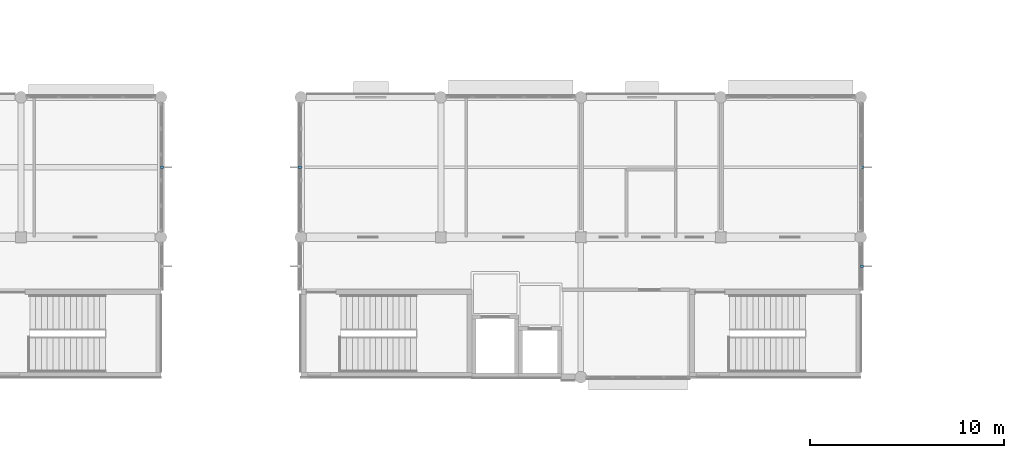
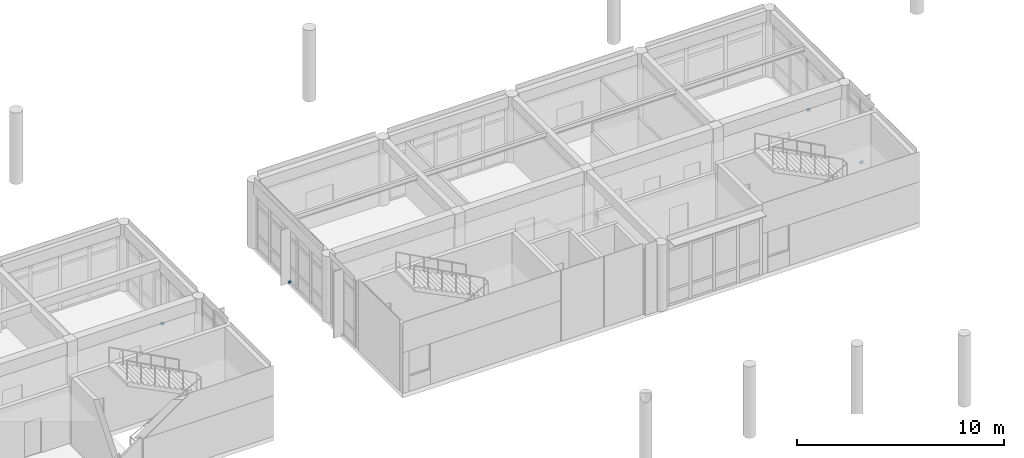
# One storey, part 19 of 29: 4 discrete accessories.
"""IFC4 building model written with IfcOpenShell, lengths in metres."""

import ifcopenshell
import ifcopenshell.guid

model = None  # the IFC model being written
_history = None  # IfcOwnerHistory: only IFC2X3 demands one
_inside = {}  # id of a spatial element -> (the spatial element, [elements in it])
_under = {}  # id of a project, library or spatial element -> (it, [spatial elements below it])
_declared = {}  # id of a project -> (the project, [libraries it declares])
_typed = {}  # id of a type object -> (the type object, [elements of that type])
_made_of = {}  # id of a material, layer set ... -> (it, [elements and type objects made of it])


def new_model(schema):
    """Start an empty IFC model of exactly this schema.

    Asked for "IFC4X3", IfcOpenShell would pick the latest addendum, in which some entities
    have other attributes; the version numbers below select the first issue.
    IFC2X3 requires an IfcOwnerHistory on every rooted entity: one is made here for all.
    """
    global model, _history
    if schema == "IFC4X3":
        model = ifcopenshell.file(schema_version=(4, 3, 0, 0))
    else:
        model = ifcopenshell.file(schema=schema)
    _inside.clear()
    _under.clear()
    _declared.clear()
    _typed.clear()
    _made_of.clear()
    _history = None
    if model.schema == "IFC2X3":
        org = make("IfcOrganization", Name="unknown")
        user = make(
            "IfcPersonAndOrganization",
            ThePerson=make("IfcPerson", FamilyName="unknown"),
            TheOrganization=org,
        )
        app = make(
            "IfcApplication",
            ApplicationDeveloper=org,
            Version="unknown",
            ApplicationFullName="unknown",
            ApplicationIdentifier="unknown",
        )
        _history = make(
            "IfcOwnerHistory",
            OwningUser=user,
            OwningApplication=app,
            ChangeAction="ADDED",
            CreationDate=0,
        )
    return model


def make(cls, **values):
    """One entity of the class cls with the attributes given. An attribute that is None is left unset."""
    return model.create_entity(
        cls, **{name: value for name, value in values.items() if value is not None}
    )


def rooted(cls, **values):
    """An entity with a GlobalId (a new one), such as an element, a storey or a relation."""
    return make(cls, GlobalId=ifcopenshell.guid.new(), OwnerHistory=_history, **values)


def si_unit(unit_type, name, prefix=None):
    """IfcSIUnit, for example si_unit("LENGTHUNIT", "METRE", prefix="MILLI")."""
    return make("IfcSIUnit", UnitType=unit_type, Prefix=prefix, Name=name)


def assignment(units):
    """IfcUnitAssignment: the units of a project."""
    return None if units is None else make("IfcUnitAssignment", Units=units)


def point(xyz):
    """IfcCartesianPoint."""
    return None if xyz is None else make("IfcCartesianPoint", Coordinates=xyz)


def direction(xyz):
    """IfcDirection."""
    return None if xyz is None else make("IfcDirection", DirectionRatios=xyz)


def frame(location, z_axis=None, x_axis=None):
    """IfcAxis2Placement3D, a coordinate frame: its origin and axes. An axis left out is left unset."""
    return make(
        "IfcAxis2Placement3D",
        Location=point(location),
        Axis=direction(z_axis),
        RefDirection=direction(x_axis),
    )


def frame_2d(location, x_axis=None):
    """IfcAxis2Placement2D, a coordinate frame in the plane: its origin and x axis."""
    return make(
        "IfcAxis2Placement2D", Location=point(location), RefDirection=direction(x_axis)
    )


def origin():
    """The frame at (0, 0, 0) with its axes left unset."""
    return frame((0.0, 0.0, 0.0))


def origin_2d():
    """The frame at (0, 0) in the plane with its x axis left unset."""
    return frame_2d((0.0, 0.0))


def place(relative_to, where):
    """IfcLocalPlacement: puts the frame where relative to a parent placement (None: the world)."""
    return make(
        "IfcLocalPlacement", PlacementRelTo=relative_to, RelativePlacement=where
    )


def context(
    kind, dimensions, precision=None, world=None, true_north=None, identifier=None
):
    """IfcGeometricRepresentationContext, for example the 3D "Model" context."""
    return make(
        "IfcGeometricRepresentationContext",
        ContextIdentifier=identifier,
        ContextType=kind,
        CoordinateSpaceDimension=dimensions,
        Precision=precision,
        WorldCoordinateSystem=world,
        TrueNorth=true_north,
    )


def subcontext(parent, identifier, kind, view, scale=None):
    """IfcGeometricRepresentationSubContext, for example "Body" below "Model"."""
    return make(
        "IfcGeometricRepresentationSubContext",
        ContextIdentifier=identifier,
        ContextType=kind,
        ParentContext=parent,
        TargetScale=scale,
        TargetView=view,
    )


def project(units=None, contexts=None):
    """IfcProject with its units and contexts."""
    return rooted(
        "IfcProject",
        Name="project",
        RepresentationContexts=contexts,
        UnitsInContext=assignment(units),
    )


def spatial(cls, under=None, at=None, **own):
    """A site, building, storey or space (cls), placed at a placement, below another one or the project."""
    s = rooted(cls, ObjectPlacement=at, **own)
    if under is not None:
        _under.setdefault(under.id(), (under, []))[1].append(s)
    return s


def profile(cls, at=None, kind="AREA", **sizes):
    """A parametric profile (cls). Its sizes go by their IFC names, for example OverallWidth=200.0."""
    return make(cls, ProfileType=kind, Position=at, **sizes)


def rectangle(**sizes):
    """IfcRectangleProfileDef."""
    return profile("IfcRectangleProfileDef", **sizes)


def extrude(swept, where, along, depth):
    """IfcExtrudedAreaSolid: the profile swept, set in the frame where, extruded along a direction by depth."""
    return make(
        "IfcExtrudedAreaSolid",
        SweptArea=swept,
        Position=where,
        ExtrudedDirection=direction(along),
        Depth=depth,
    )


def shape(context_of_items, identifier, shape_type, items):
    """IfcShapeRepresentation: the items that make up one representation, for example the "Body"."""
    return make(
        "IfcShapeRepresentation",
        ContextOfItems=context_of_items,
        RepresentationIdentifier=identifier,
        RepresentationType=shape_type,
        Items=items,
    )


def material(Name=None, Category=None):
    """IfcMaterial."""
    return make("IfcMaterial", Name=Name, Category=Category)


def made_of(thing, what):
    """Note that an element or type object is made of a material, layer set ...; save() writes the relation."""
    if what is not None:
        _made_of.setdefault(what.id(), (what, []))[1].append(thing)
    return thing


def type_object(cls, material=None, **own):
    """A type object (cls), such as IfcWallType, which elements share."""
    return made_of(rooted(cls, **own), material)


def element(
    cls,
    number,
    at=None,
    inside=None,
    cuts=None,
    type_object=None,
    material=None,
    context=None,
    identifier="Body",
    shape_type=None,
    held_by="IfcProductDefinitionShape",
    body=None,
    shapes=None,
    **own,
):
    """One element of the class cls, such as IfcWall. Its Tag is "e" and its number.

    at: its placement. inside: the storey or other place that contains it. cuts: it is an
    opening in that element (IfcRelVoidsElement). A single representation is given by context,
    identifier, shape_type and body (its items); several are given by shapes. held_by: the class
    of the entity that holds the representations. save() writes the other relations.
    """
    e = rooted(cls, Tag="e%d" % number, ObjectPlacement=at, **own)
    if body is not None:
        shapes = [shape(context, identifier, shape_type, body)]
    if shapes is not None:
        e.Representation = make(held_by, Representations=shapes)
    if inside is not None:
        _inside.setdefault(inside.id(), (inside, []))[1].append(e)
    if cuts is not None:
        rooted(
            "IfcRelVoidsElement", RelatingBuildingElement=cuts, RelatedOpeningElement=e
        )
    if type_object is not None:
        _typed.setdefault(type_object.id(), (type_object, []))[1].append(e)
    return made_of(e, material)


def aggregate(whole, parts):
    """IfcRelAggregates: a whole, such as a stair, and the parts it consists of."""
    return rooted("IfcRelAggregates", RelatingObject=whole, RelatedObjects=parts)


def save(model, path):
    """Write the relations noted so far, then the file.

    IfcRelAggregates (storeys below a building ...), IfcRelContainedInSpatialStructure (elements
    in a storey), IfcRelDefinesByType, IfcRelAssociatesMaterial and IfcRelDeclares: one each for
    every whole, place, type object, material and project.
    """
    for whole, parts in _under.values():
        aggregate(whole, parts)
    for where, things in _inside.values():
        rooted(
            "IfcRelContainedInSpatialStructure",
            RelatedElements=things,
            RelatingStructure=where,
        )
    for kind, things in _typed.values():
        rooted("IfcRelDefinesByType", RelatedObjects=things, RelatingType=kind)
    for what, things in _made_of.values():
        rooted("IfcRelAssociatesMaterial", RelatedObjects=things, RelatingMaterial=what)
    for by, libraries in _declared.values():
        rooted("IfcRelDeclares", RelatingContext=by, RelatedDefinitions=libraries)
    model.write(path)


model = new_model("IFC4")

# Units and contexts
model_context = context("Model", 3, precision=1e-05, world=origin(), true_north=direction((0.0, 1.0)))
body_context = subcontext(model_context, "Body", "Model", "MODEL_VIEW")
ifc_project = project(units=[si_unit("LENGTHUNIT", "METRE"), si_unit("AREAUNIT", "SQUARE_METRE"), si_unit("VOLUMEUNIT", "CUBIC_METRE"), si_unit("PLANEANGLEUNIT", "RADIAN"), si_unit("MASSUNIT", "GRAM", prefix="KILO")], contexts=[model_context])

# Site, building, storey
site_placement = place(None, origin())
site = spatial("IfcSite", under=ifc_project, at=site_placement, CompositionType="ELEMENT")
building_placement = place(site_placement, origin())
building = spatial("IfcBuilding", under=site, at=building_placement, Name="Namkhue Oval Health Centre", CompositionType="ELEMENT")
storey_placement = place(building_placement, frame((0.0, 0.0, 18.0)))
storey = spatial("IfcBuildingStorey", under=building, at=storey_placement, Name="L04", CompositionType="ELEMENT", Elevation=18.0)

# Discrete accessories
ifc_material = material(Name="Structural steel S355JR (TCVN CCT38)", Category="steel")
discrete_accessory_type = type_object("IfcDiscreteAccessoryType", Name="FACADE SHADING BRACKET", PredefinedType="BRACKET", material=ifc_material)
for number, where, z_axis, x_axis, name in (
    (1, (86.4599609375, 100.800048828125, 0.0), (0.0, 0.0, 1.0), (1.0, 0.0, 0.0), "Solar Fin Bracket 102"),
    (2, (122.4599609375, 95.70361328125, 0.0), (0.0, 0.0, 1.0), (1.0, 0.0, 0.0), "Solar Fin Bracket 164"),
    (3, (122.4599609375, 100.800048828125, 0.0), (0.0, 0.0, 1.0), (1.0, 0.0, 0.0), "Solar Fin Bracket 165"),
    (4, (93.5400390625, 100.800048828125, 0.0), (0.0, 0.0, 1.0), (-1.0, 0.0, 0.0), "Solar Fin Bracket 170"),
):
    element("IfcDiscreteAccessory", number, at=place(storey_placement, frame(where, z_axis=z_axis, x_axis=x_axis)), inside=storey, type_object=discrete_accessory_type, Name=name, PredefinedType="BRACKET", context=body_context, shape_type="SweptSolid", body=[
        extrude(rectangle(XDim=0.159912109375, YDim=0.1201171875, at=origin_2d()), origin(), (0.0, 0.0, 1.0), 0.1201171875),
    ])

save(model, "model.ifc")
